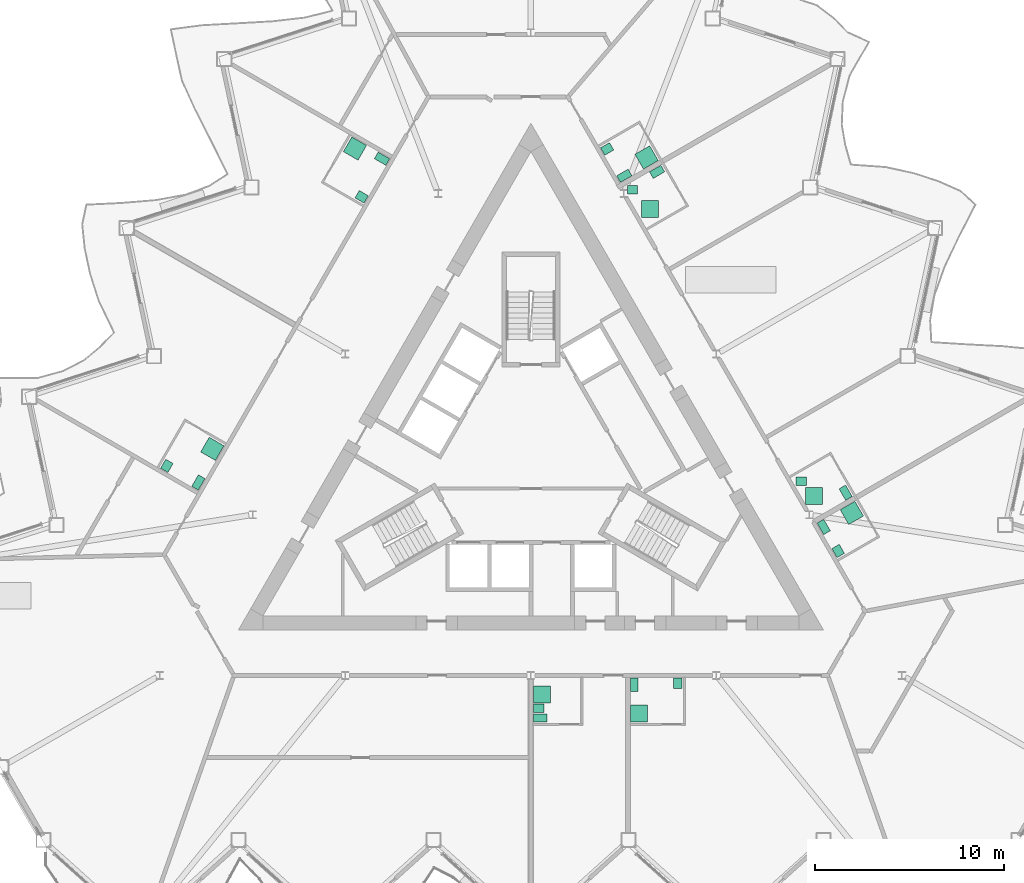
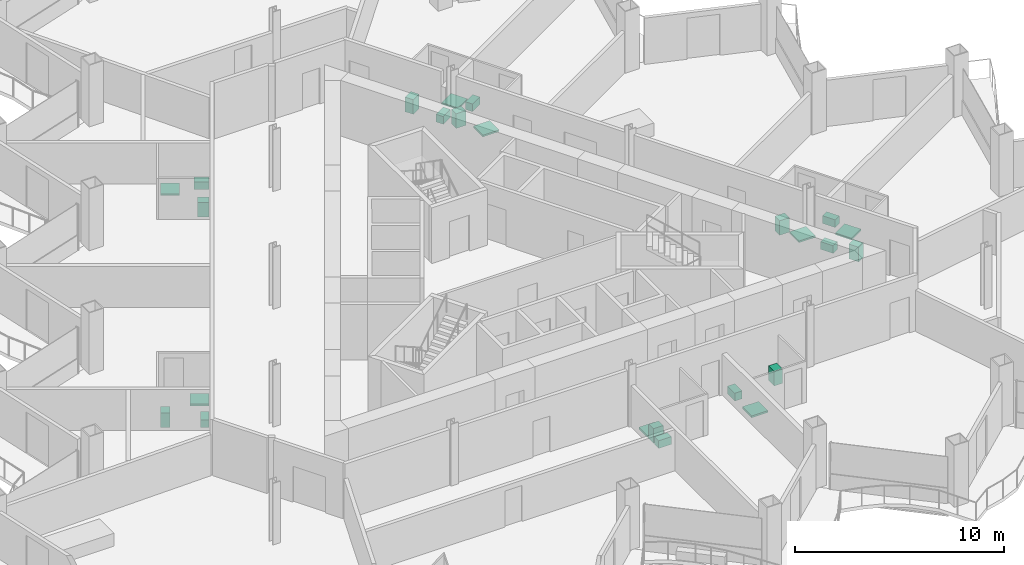
# One storey, part 21 of 22: 24 sanitary terminals.
"""IFC4 building model written with IfcOpenShell, lengths in metres."""

from ifc_helpers import new_model, si_unit, direction, frame, origin, origin_2d, place, context, subcontext, project, spatial, rectangle, extrude, material, type_object, element, save


model = new_model("IFC4")

# Units and contexts
model_context = context("Model", 3, precision=1e-05, world=origin(), true_north=direction((0.0, 1.0)))
body_context = subcontext(model_context, "Body", "Model", "MODEL_VIEW")
ifc_project = project(units=[si_unit("LENGTHUNIT", "METRE"), si_unit("AREAUNIT", "SQUARE_METRE"), si_unit("VOLUMEUNIT", "CUBIC_METRE"), si_unit("PLANEANGLEUNIT", "RADIAN"), si_unit("MASSUNIT", "GRAM", prefix="KILO")], contexts=[model_context])

# Site, building, storey
site_placement = place(None, origin())
site = spatial("IfcSite", under=ifc_project, at=site_placement, CompositionType="ELEMENT")
building_placement = place(site_placement, origin())
building = spatial("IfcBuilding", under=site, at=building_placement, Name="Cormorant Prow Tower", CompositionType="ELEMENT")
storey_placement = place(building_placement, frame((0.0, 0.0, 190.800048828125)))
storey = spatial("IfcBuildingStorey", under=building, at=storey_placement, Name="L41", CompositionType="ELEMENT", Elevation=190.800048828125)

# Sanitary terminals
ifc_material_1 = material(Name="Vitreous china")
sanitary_terminal_type_1 = type_object("IfcSanitaryTerminalType", Name="Shower tray 900x900", PredefinedType="SHOWER", material=ifc_material_1)
for number, where, z_axis, x_axis, name in (
    (1, (0.594970703125, -12.35400390625, 0.0), (0.0, 0.0, 1.0), (1.0, 0.0, 0.0), "Shower tray"),
    (2, (5.7333984375, -13.35400390625, 0.0), (0.0, 0.0, 1.0), (0.0, 1.0, 0.0), "Shower tray"),
    (3, (17.0009765625, -2.738525390625, 0.0), (0.0, 0.0, 1.0), (0.5, -0.866025403784, 0.0), "Shower tray"),
    (4, (14.996826171875, -1.845947265625, 0.0), (0.0, 0.0, 1.0), (1.0, 0.0, 0.0), "Shower tray"),
    (5, (6.305419921875, 13.3662109375, 0.0), (0.0, 0.0, 1.0), (1.0, 0.0, 0.0), "Shower tray"),
    (6, (6.12890625, 16.09228515625, 0.0), (0.0, 0.0, 1.0), (-0.866025403784, -0.5, 0.0), "Shower tray"),
    (7, (-9.322021484375, 16.56201171875, 0.0), (0.0, 0.0, 1.0), (0.866025403784, -0.5, 0.0), "Shower tray"),
    (8, (-16.877685546875, 0.654541015625, 0.0), (0.0, 0.0, 1.0), (-0.5, -0.866025403784, 0.0), "Shower tray"),
):
    element("IfcSanitaryTerminal", number, at=place(storey_placement, frame(where, z_axis=z_axis, x_axis=x_axis)), inside=storey, type_object=sanitary_terminal_type_1, Name=name, PredefinedType="SHOWER", context=body_context, shape_type="SweptSolid", body=[
        extrude(rectangle(XDim=0.89990234375, YDim=0.89990234375, at=origin_2d()), origin(), (0.0, 0.0, 1.0), 0.10009765625),
    ])
ifc_material_2 = material(Name="Vitreous china")
sanitary_terminal_type_2 = type_object("IfcSanitaryTerminalType", Name="Wash basin 550x450", PredefinedType="WASHHANDBASIN", material=ifc_material_2)
for number, where, z_axis, x_axis, name in (
    (9, (0.419921875, -13.078857421875, 0.0), (0.0, 0.0, 1.0), (1.0, 0.0, 0.0), "Wash basin"),
    (10, (7.7685546875, -11.768798828125, 0.0), (0.0, 0.0, 1.0), (0.0, -1.0, 0.0), "Wash basin"),
    (11, (16.27734375, -4.75537109375, 0.0), (0.0, 0.0, 1.0), (-0.5, 0.866025403784, 0.0), "Wash basin"),
    (12, (14.32177734375, -1.07080078125, 0.0), (0.0, 0.0, 1.0), (1.0, 0.0, 0.0), "Wash basin"),
    (13, (5.380615234375, 14.39111328125, 0.0), (0.0, 0.0, 1.0), (1.0, 0.0, 0.0), "Wash basin"),
    (14, (4.038818359375, 16.542724609375, 0.0), (0.0, 0.0, 1.0), (0.866025403784, 0.5, 0.0), "Wash basin"),
    (15, (-8.966796875, 14.007080078125, 0.0), (0.0, 0.0, 1.0), (-0.866025403784, 0.5, 0.0), "Wash basin"),
    (16, (-19.286376953125, -0.2470703125, 0.0), (0.0, 0.0, 1.0), (0.5, 0.866025403784, 0.0), "Wash basin"),
):
    element("IfcSanitaryTerminal", number, at=place(storey_placement, frame(where, z_axis=z_axis, x_axis=x_axis)), inside=storey, type_object=sanitary_terminal_type_2, Name=name, PredefinedType="WASHHANDBASIN", context=body_context, shape_type="SweptSolid", body=[
        extrude(rectangle(XDim=0.550048828125, YDim=0.449951171875, at=origin_2d()), origin(), (0.0, 0.0, 1.0), 0.85009765625),
    ])
ifc_material_3 = material(Name="Vitreous china")
sanitary_terminal_type_3 = type_object("IfcSanitaryTerminalType", Name="Water closet 400x700", PredefinedType="WCSEAT", material=ifc_material_3)
for number, where, z_axis, x_axis, name in (
    (17, (0.4951171875, -13.60400390625, 0.0), (0.0, 0.0, 1.0), (0.0, 1.0, 0.0), "Water closet"),
    (18, (5.4833984375, -11.843994140625, 0.0), (0.0, 0.0, 1.0), (1.0, 0.0, 0.0), "Water closet"),
    (19, (15.51318359375, -3.48193359375, 0.0), (0.0, 0.0, 1.0), (0.866025403784, 0.5, 0.0), "Water closet"),
    (20, (16.67236328125, -1.66943359375, 0.0), (0.0, 0.0, 1.0), (-0.866025403784, -0.5, 0.0), "Water closet"),
    (21, (6.685302734375, 15.328369140625, 0.0), (0.0, 0.0, 1.0), (0.5, -0.866025403784, 0.0), "Water closet"),
    (22, (4.946044921875, 15.120849609375, 0.0), (0.0, 0.0, 1.0), (-0.5, 0.866025403784, 0.0), "Water closet"),
    (23, (-7.88916015625, 16.0234375, 0.0), (0.0, 0.0, 1.0), (-0.5, -0.866025403784, 0.0), "Water closet"),
    (24, (-17.6162109375, -1.12451171875, 0.0), (0.0, 0.0, 1.0), (-0.866025403784, 0.5, 0.0), "Water closet"),
):
    element("IfcSanitaryTerminal", number, at=place(storey_placement, frame(where, z_axis=z_axis, x_axis=x_axis)), inside=storey, type_object=sanitary_terminal_type_3, Name=name, PredefinedType="WCSEAT", context=body_context, shape_type="SweptSolid", body=[
        extrude(rectangle(XDim=0.39990234375, YDim=0.699951171875, at=origin_2d()), origin(), (0.0, 0.0, 1.0), 0.449951171875),
    ])

save(model, "model.ifc")
